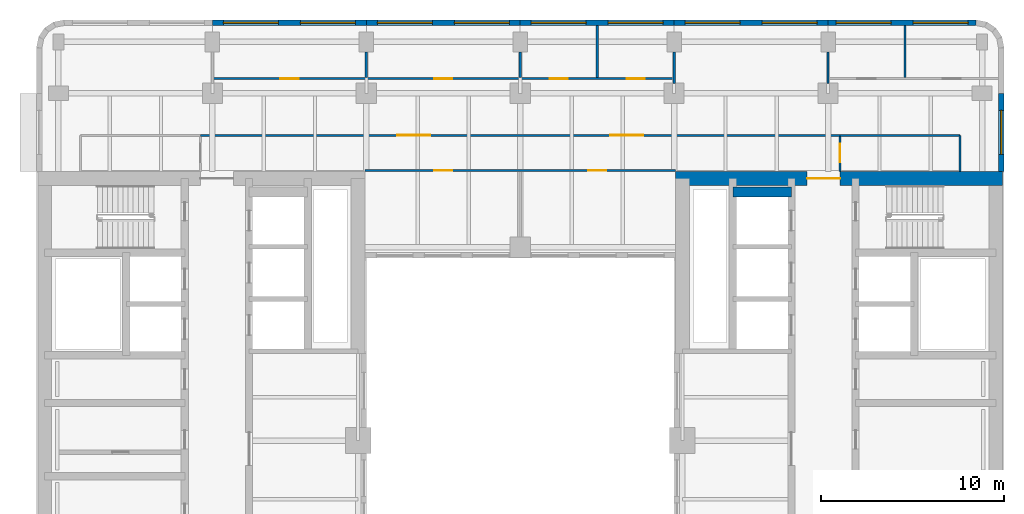
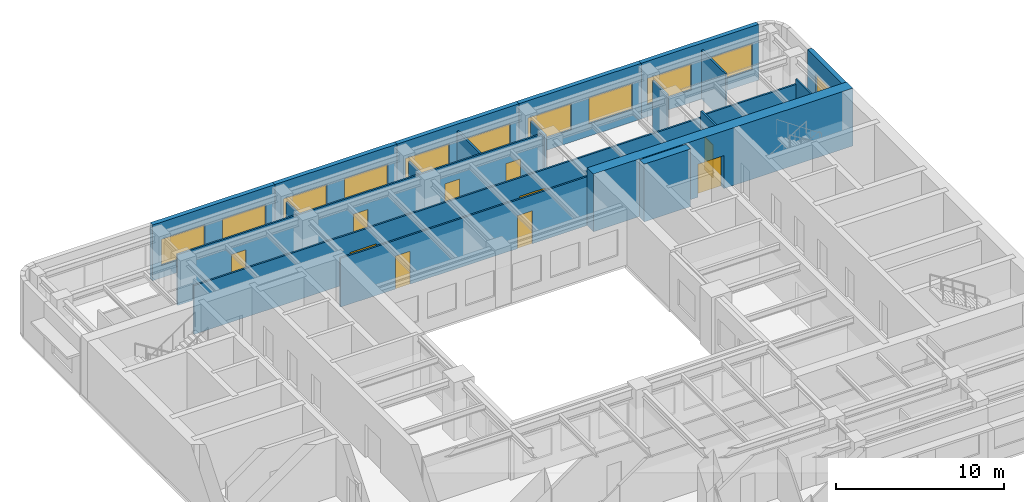
# One storey, part 7 of 11: 20 walls, 11 windows, 10 doors, 21 openings.
"""IFC4 building model written with IfcOpenShell, lengths in metres."""

from ifc_helpers import new_model, si_unit, direction, frame, frame_2d, origin, place, context, subcontext, project, spatial, rectangle, extrude, material, layer, layer_set, type_object, element, fill, save


model = new_model("IFC4")

# Units and contexts
model_context = context("Model", 3, precision=1e-05, world=origin(), true_north=direction((0.0, 1.0)))
body_context = subcontext(model_context, "Body", "Model", "MODEL_VIEW")
ifc_project = project(units=[si_unit("LENGTHUNIT", "METRE"), si_unit("AREAUNIT", "SQUARE_METRE"), si_unit("VOLUMEUNIT", "CUBIC_METRE"), si_unit("PLANEANGLEUNIT", "RADIAN"), si_unit("MASSUNIT", "GRAM", prefix="KILO")], contexts=[model_context])

# Site, building, storey
site_placement = place(None, origin())
site = spatial("IfcSite", under=ifc_project, at=site_placement, CompositionType="ELEMENT")
building_placement = place(site_placement, origin())
building = spatial("IfcBuilding", under=site, at=building_placement, Name="Claustro Exchange Tower", CompositionType="ELEMENT")
storey_placement = place(building_placement, frame((0.0, 0.0, 232.199951171875)))
storey = spatial("IfcBuildingStorey", under=building, at=storey_placement, Name="L53", CompositionType="ELEMENT", Elevation=232.199951171875)

# Wall, openings, doors
ifc_material_1 = material(Name="Laminated glass in aluminium frame", Category="aluminium")
ifc_layer_1 = layer(ifc_material_1, 0.1201171875)
ifc_layer_set_1 = layer_set([ifc_layer_1], Name="Laminated glass in aluminium frame")
wall_type_1 = type_object("IfcWallType", Name="P2 120 glazed partition", PredefinedType="PARTITIONING", material=ifc_layer_set_1)
wall_1_placement = place(storey_placement, frame((8.39990234375, 42.800048828125, 0.0), z_axis=(0.0, 0.0, 1.0), x_axis=(1.0, 0.0, 0.0)))
wall_1 = element("IfcWall", 1, at=wall_1_placement, inside=storey, type_object=wall_type_1, Name="Partition P2 L53", PredefinedType="PARTITIONING", context=body_context, shape_type="SweptSolid", body=[
    extrude(rectangle(XDim=25.2001953125, YDim=0.1201171875, at=frame_2d((12.60009765625, 0.0))), origin(), (0.0, 0.0, 1.0), 3.68994140625),
])
opening_1_placement = place(wall_1_placement, frame((3.699951171875, 0.0, 0.0)))
opening_1 = element("IfcOpeningElement", 2, at=opening_1_placement, cuts=wall_1, Name="Opening D7", PredefinedType="OPENING", context=body_context, shape_type="SweptSolid", body=[
    extrude(rectangle(XDim=1.0, YDim=2.39990234375, at=frame_2d((0.5, 1.199951171875))), frame((0.0, 0.070068359375, 0.0), z_axis=(0.0, -1.0, 0.0), x_axis=(1.0, 0.0, 0.0)), (0.0, 0.0, 1.0), 0.14013671875),
])
opening_2_placement = place(wall_1_placement, frame((12.10009765625, 0.0, 0.0)))
opening_2 = element("IfcOpeningElement", 3, at=opening_2_placement, cuts=wall_1, Name="Opening D7", PredefinedType="OPENING", context=body_context, shape_type="SweptSolid", body=[
    extrude(rectangle(XDim=1.0, YDim=2.39990234375, at=frame_2d((0.5, 1.199951171875))), frame((0.0, 0.070068359375, 0.0), z_axis=(0.0, -1.0, 0.0), x_axis=(1.0, 0.0, 0.0)), (0.0, 0.0, 1.0), 0.14013671875),
])
opening_3_placement = place(wall_1_placement, frame((18.39990234375, 0.0, 0.0)))
opening_3 = element("IfcOpeningElement", 4, at=opening_3_placement, cuts=wall_1, Name="Opening D7", PredefinedType="OPENING", context=body_context, shape_type="SweptSolid", body=[
    extrude(rectangle(XDim=1.0, YDim=2.39990234375, at=frame_2d((0.5, 1.199951171875))), frame((0.0, 0.070068359375, 0.0), z_axis=(0.0, -1.0, 0.0), x_axis=(1.0, 0.0, 0.0)), (0.0, 0.0, 1.0), 0.14013671875),
])
opening_4_placement = place(wall_1_placement, frame((22.60009765625, 0.0, 0.0)))
opening_4 = element("IfcOpeningElement", 5, at=opening_4_placement, cuts=wall_1, Name="Opening D7", PredefinedType="OPENING", context=body_context, shape_type="SweptSolid", body=[
    extrude(rectangle(XDim=1.0, YDim=2.39990234375, at=frame_2d((0.5, 1.199951171875))), frame((0.0, 0.070068359375, 0.0), z_axis=(0.0, -1.0, 0.0), x_axis=(1.0, 0.0, 0.0)), (0.0, 0.0, 1.0), 0.14013671875),
])
ifc_material_2 = material(Name="Glass door in aluminium frame", Category="aluminium")
door_type_1 = type_object("IfcDoorType", Name="D7 1000 x 2400 glazed door", OperationType="SINGLE_SWING_LEFT", PredefinedType="DOOR", material=ifc_material_2)
door_1_placement = place(opening_1_placement, origin())
door_1 = element("IfcDoor", 6, at=door_1_placement, inside=storey, type_object=door_type_1, Name="Door D7 L53", OperationType="SINGLE_SWING_LEFT", OverallHeight=2.39990234375, OverallWidth=1.0, PredefinedType="DOOR", context=body_context, shape_type="SweptSolid", body=[
    extrude(rectangle(XDim=1.0, YDim=2.39990234375, at=frame_2d((0.5, 1.199951171875))), frame((0.0, 0.02490234375, 0.0), z_axis=(0.0, -1.0, 0.0), x_axis=(1.0, 0.0, 0.0)), (0.0, 0.0, 1.0), 0.050048828125),
])
fill(opening_1, door_1)
door_2_placement = place(opening_2_placement, origin())
door_2 = element("IfcDoor", 7, at=door_2_placement, inside=storey, type_object=door_type_1, Name="Door D7 L53", OperationType="SINGLE_SWING_RIGHT", OverallHeight=2.39990234375, OverallWidth=1.0, PredefinedType="DOOR", context=body_context, shape_type="SweptSolid", body=[
    extrude(rectangle(XDim=1.0, YDim=2.39990234375, at=frame_2d((0.5, 1.199951171875))), frame((0.0, 0.02490234375, 0.0), z_axis=(0.0, -1.0, 0.0), x_axis=(1.0, 0.0, 0.0)), (0.0, 0.0, 1.0), 0.050048828125),
])
fill(opening_2, door_2)
door_3_placement = place(opening_3_placement, origin())
door_3 = element("IfcDoor", 8, at=door_3_placement, inside=storey, type_object=door_type_1, Name="Door D7 L53", OperationType="SINGLE_SWING_LEFT", OverallHeight=2.39990234375, OverallWidth=1.0, PredefinedType="DOOR", context=body_context, shape_type="SweptSolid", body=[
    extrude(rectangle(XDim=1.0, YDim=2.39990234375, at=frame_2d((0.5, 1.199951171875))), frame((0.0, 0.02490234375, 0.0), z_axis=(0.0, -1.0, 0.0), x_axis=(1.0, 0.0, 0.0)), (0.0, 0.0, 1.0), 0.050048828125),
])
fill(opening_3, door_3)
door_4_placement = place(opening_4_placement, origin())
door_4 = element("IfcDoor", 9, at=door_4_placement, inside=storey, type_object=door_type_1, Name="Door D7 L53", OperationType="SINGLE_SWING_LEFT", OverallHeight=2.39990234375, OverallWidth=1.0, PredefinedType="DOOR", context=body_context, shape_type="SweptSolid", body=[
    extrude(rectangle(XDim=1.0, YDim=2.39990234375, at=frame_2d((0.5, 1.199951171875))), frame((0.0, 0.02490234375, 0.0), z_axis=(0.0, -1.0, 0.0), x_axis=(1.0, 0.0, 0.0)), (0.0, 0.0, 1.0), 0.050048828125),
])
fill(opening_4, door_4)

# Walls
for number, where, z_axis, x_axis, name in (
    (10, (16.800048828125, 42.85791015625, 0.0), (0.0, 0.0, 1.0), (0.0, 1.0, 0.0), "Partition P2 L53"),
    (11, (25.199951171875, 42.85791015625, 0.0), (0.0, 0.0, 1.0), (0.0, 1.0, 0.0), "Partition P2 L53"),
):
    element("IfcWall", number, at=place(storey_placement, frame(where, z_axis=z_axis, x_axis=x_axis)), inside=storey, type_object=wall_type_1, Name=name, PredefinedType="PARTITIONING", context=body_context, shape_type="SweptSolid", body=[
        extrude(rectangle(XDim=1.39306640625, YDim=0.1201171875, at=frame_2d((0.696533203125, 0.0))), origin(), (0.0, 0.0, 1.0), 3.68994140625),
    ])
wall_2_placement = place(storey_placement, frame((29.39990234375, 42.85791015625, 0.0), z_axis=(0.0, 0.0, 1.0), x_axis=(0.0, 1.0, 0.0)))
element("IfcWall", 12, at=wall_2_placement, inside=storey, type_object=wall_type_1, Name="Partition P2 L53", PredefinedType="PARTITIONING", context=body_context, shape_type="SweptSolid", body=[
    extrude(rectangle(XDim=2.843994140625, YDim=0.1201171875, at=frame_2d((1.421875, 0.0))), origin(), (0.0, 0.0, 1.0), 3.56005859375),
])
for number, where, z_axis, x_axis, name in (
    (13, (33.60009765625, 42.548095703125, 0.0), (0.0, 0.0, 1.0), (0.0, 1.0, 0.0), "Partition P2 L53"),
    (14, (42.0, 42.548095703125, 0.0), (0.0, 0.0, 1.0), (0.0, 1.0, 0.0), "Partition P2 L53"),
):
    element("IfcWall", number, at=place(storey_placement, frame(where, z_axis=z_axis, x_axis=x_axis)), inside=storey, type_object=wall_type_1, Name=name, PredefinedType="PARTITIONING", context=body_context, shape_type="SweptSolid", body=[
        extrude(rectangle(XDim=1.702880859375, YDim=0.1201171875, at=frame_2d((0.8515625, 0.0))), origin(), (0.0, 0.0, 1.0), 3.68994140625),
    ])
wall_3_placement = place(storey_placement, frame((46.199951171875, 42.85791015625, 0.0), z_axis=(0.0, 0.0, 1.0), x_axis=(0.0, 1.0, 0.0)))
element("IfcWall", 15, at=wall_3_placement, inside=storey, type_object=wall_type_1, Name="Partition P2 L53", PredefinedType="PARTITIONING", context=body_context, shape_type="SweptSolid", body=[
    extrude(rectangle(XDim=2.843994140625, YDim=0.1201171875, at=frame_2d((1.421875, 0.0))), origin(), (0.0, 0.0, 1.0), 3.56005859375),
])

# Wall, openings, doors
wall_4_placement = place(storey_placement, frame((7.748046875, 39.699951171875, 0.0), z_axis=(0.0, 0.0, 1.0), x_axis=(1.0, 0.0, 0.0)))
wall_4 = element("IfcWall", 16, at=wall_4_placement, inside=storey, type_object=wall_type_1, Name="Partition P2 L53", PredefinedType="PARTITIONING", context=body_context, shape_type="SweptSolid", body=[
    extrude(rectangle(XDim=34.904052734375, YDim=0.1201171875, at=frame_2d((17.4521484375, 0.0))), origin(), (0.0, 0.0, 1.0), 3.550048828125),
])
opening_5_placement = place(wall_4_placement, frame((10.7353515625, 0.0, 0.0)))
opening_5 = element("IfcOpeningElement", 17, at=opening_5_placement, cuts=wall_4, Name="Opening D2", PredefinedType="OPENING", context=body_context, shape_type="SweptSolid", body=[
    extrude(rectangle(XDim=1.800048828125, YDim=2.199951171875, at=frame_2d((0.89990234375, 1.10009765625))), frame((0.0, 0.070068359375, 0.0), z_axis=(0.0, -1.0, 0.0), x_axis=(1.0, 0.0, 0.0)), (0.0, 0.0, 1.0), 0.14013671875),
])
opening_6_placement = place(wall_4_placement, frame((22.36865234375, 0.0, 0.0)))
opening_6 = element("IfcOpeningElement", 18, at=opening_6_placement, cuts=wall_4, Name="Opening D2", PredefinedType="OPENING", context=body_context, shape_type="SweptSolid", body=[
    extrude(rectangle(XDim=1.800048828125, YDim=2.199951171875, at=frame_2d((0.89990234375, 1.10009765625))), frame((0.0, 0.070068359375, 0.0), z_axis=(0.0, -1.0, 0.0), x_axis=(1.0, 0.0, 0.0)), (0.0, 0.0, 1.0), 0.14013671875),
])
ifc_material_3 = material(Name="Timber door, oak veneer", Category="wood")
door_type_2 = type_object("IfcDoorType", Name="D2 1800 x 2200 double door", OperationType="DOUBLE_DOOR_SINGLE_SWING", PredefinedType="DOOR", material=ifc_material_3)
door_5_placement = place(opening_5_placement, origin())
door_5 = element("IfcDoor", 19, at=door_5_placement, inside=storey, type_object=door_type_2, Name="Double door D2 L53", OperationType="DOUBLE_DOOR_SINGLE_SWING", OverallHeight=2.199951171875, OverallWidth=1.800048828125, PredefinedType="DOOR", context=body_context, shape_type="SweptSolid", body=[
    extrude(rectangle(XDim=1.800048828125, YDim=2.199951171875, at=frame_2d((0.89990234375, 1.10009765625))), frame((0.0, 0.02490234375, 0.0), z_axis=(0.0, -1.0, 0.0), x_axis=(1.0, 0.0, 0.0)), (0.0, 0.0, 1.0), 0.050048828125),
])
fill(opening_5, door_5)
door_6_placement = place(opening_6_placement, origin())
door_6 = element("IfcDoor", 20, at=door_6_placement, inside=storey, type_object=door_type_2, Name="Double door D2 L53", OperationType="DOUBLE_DOOR_SINGLE_SWING", OverallHeight=2.199951171875, OverallWidth=1.800048828125, PredefinedType="DOOR", context=body_context, shape_type="SweptSolid", body=[
    extrude(rectangle(XDim=1.800048828125, YDim=2.199951171875, at=frame_2d((0.89990234375, 1.10009765625))), frame((0.0, 0.02490234375, 0.0), z_axis=(0.0, -1.0, 0.0), x_axis=(1.0, 0.0, 0.0)), (0.0, 0.0, 1.0), 0.050048828125),
])
fill(opening_6, door_6)

# Wall, opening, door
wall_5_placement = place(storey_placement, frame((42.64990234375, 37.72412109375, 0.0), z_axis=(0.0, 0.0, 1.0), x_axis=(0.0, 1.0, 0.0)))
wall_5 = element("IfcWall", 21, at=wall_5_placement, inside=storey, type_object=wall_type_1, Name="Partition P2 L53", PredefinedType="PARTITIONING", context=body_context, shape_type="SweptSolid", body=[
    extrude(rectangle(XDim=1.91796875, YDim=0.1201171875, at=frame_2d((0.958984375, 0.0))), origin(), (0.0, 0.0, 1.0), 4.050048828125),
])
opening_7_placement = place(wall_5_placement, frame((0.52587890625, 0.0, 0.0)))
opening_7 = element("IfcOpeningElement", 22, at=opening_7_placement, cuts=wall_5, Name="Opening D7", PredefinedType="OPENING", context=body_context, shape_type="SweptSolid", body=[
    extrude(rectangle(XDim=1.0, YDim=2.39990234375, at=frame_2d((0.5, 1.199951171875))), frame((0.0, 0.070068359375, 0.0), z_axis=(0.0, -1.0, 0.0), x_axis=(1.0, 0.0, 0.0)), (0.0, 0.0, 1.0), 0.14013671875),
])
door_7_placement = place(opening_7_placement, frame((1.0, 0.0, 0.0), z_axis=(0.0, 0.0, 1.0), x_axis=(-1.0, 0.0, 0.0)))
door_7 = element("IfcDoor", 23, at=door_7_placement, inside=storey, type_object=door_type_1, Name="Door D7 L53", OperationType="SINGLE_SWING_RIGHT", OverallHeight=2.39990234375, OverallWidth=1.0, PredefinedType="DOOR", context=body_context, shape_type="SweptSolid", body=[
    extrude(rectangle(XDim=1.0, YDim=2.39990234375, at=frame_2d((0.5, 1.199951171875))), frame((0.0, 0.02490234375, 0.0), z_axis=(0.0, -1.0, 0.0), x_axis=(1.0, 0.0, 0.0)), (0.0, 0.0, 1.0), 0.050048828125),
])
fill(opening_7, door_7)

# Walls
wall_6_placement = place(storey_placement, frame((42.64794921875, 39.699951171875, 0.0), z_axis=(0.0, 0.0, 1.0), x_axis=(1.0, 0.0, 0.0)))
element("IfcWall", 24, at=wall_6_placement, inside=storey, type_object=wall_type_1, Name="Partition P2 L53", PredefinedType="PARTITIONING", context=body_context, shape_type="SweptSolid", body=[
    extrude(rectangle(XDim=6.552001953125, YDim=0.1201171875, at=frame_2d((3.27587890625, 0.0))), origin(), (0.0, 0.0, 1.0), 3.68994140625),
])
wall_7_placement = place(storey_placement, frame((49.199951171875, 37.72412109375, 0.0), z_axis=(0.0, 0.0, 1.0), x_axis=(0.0, 1.0, 0.0)))
element("IfcWall", 25, at=wall_7_placement, inside=storey, type_object=wall_type_1, Name="Partition P2 L53", PredefinedType="PARTITIONING", context=body_context, shape_type="SweptSolid", body=[
    extrude(rectangle(XDim=1.975830078125, YDim=0.1201171875, at=frame_2d((0.98779296875, 0.0))), origin(), (0.0, 0.0, 1.0), 4.050048828125),
])

# Wall, openings, doors
wall_8_placement = place(storey_placement, frame((16.72509765625, 37.784912109375, 0.0), z_axis=(0.0, 0.0, 1.0), x_axis=(1.0, 0.0, 0.0)))
wall_8 = element("IfcWall", 26, at=wall_8_placement, inside=storey, type_object=wall_type_1, Name="Partition P2 L53", PredefinedType="PARTITIONING", context=body_context, shape_type="SweptSolid", body=[
    extrude(rectangle(XDim=16.949951171875, YDim=0.1201171875, at=frame_2d((8.47509765625, 0.0))), origin(), (0.0, 0.0, 1.0), 3.550048828125),
])
opening_8_placement = place(wall_8_placement, frame((3.77490234375, 0.0, 0.0)))
opening_8 = element("IfcOpeningElement", 27, at=opening_8_placement, cuts=wall_8, Name="Opening D7", PredefinedType="OPENING", context=body_context, shape_type="SweptSolid", body=[
    extrude(rectangle(XDim=1.0, YDim=2.39990234375, at=frame_2d((0.5, 1.199951171875))), frame((0.0, 0.070068359375, 0.0), z_axis=(0.0, -1.0, 0.0), x_axis=(1.0, 0.0, 0.0)), (0.0, 0.0, 1.0), 0.14013671875),
])
opening_9_placement = place(wall_8_placement, frame((12.175048828125, 0.0, 0.0)))
opening_9 = element("IfcOpeningElement", 28, at=opening_9_placement, cuts=wall_8, Name="Opening D7", PredefinedType="OPENING", context=body_context, shape_type="SweptSolid", body=[
    extrude(rectangle(XDim=1.0, YDim=2.39990234375, at=frame_2d((0.5, 1.199951171875))), frame((0.0, 0.070068359375, 0.0), z_axis=(0.0, -1.0, 0.0), x_axis=(1.0, 0.0, 0.0)), (0.0, 0.0, 1.0), 0.14013671875),
])
door_8_placement = place(opening_8_placement, frame((1.0, 0.0, 0.0), z_axis=(0.0, 0.0, 1.0), x_axis=(-1.0, 0.0, 0.0)))
door_8 = element("IfcDoor", 29, at=door_8_placement, inside=storey, type_object=door_type_1, Name="Door D7 L53", OperationType="SINGLE_SWING_LEFT", OverallHeight=2.39990234375, OverallWidth=1.0, PredefinedType="DOOR", context=body_context, shape_type="SweptSolid", body=[
    extrude(rectangle(XDim=1.0, YDim=2.39990234375, at=frame_2d((0.5, 1.199951171875))), frame((0.0, 0.02490234375, 0.0), z_axis=(0.0, -1.0, 0.0), x_axis=(1.0, 0.0, 0.0)), (0.0, 0.0, 1.0), 0.050048828125),
])
fill(opening_8, door_8)
door_9_placement = place(opening_9_placement, frame((1.0, 0.0, 0.0), z_axis=(0.0, 0.0, 1.0), x_axis=(-1.0, 0.0, 0.0)))
door_9 = element("IfcDoor", 30, at=door_9_placement, inside=storey, type_object=door_type_1, Name="Door D7 L53", OperationType="SINGLE_SWING_LEFT", OverallHeight=2.39990234375, OverallWidth=1.0, PredefinedType="DOOR", context=body_context, shape_type="SweptSolid", body=[
    extrude(rectangle(XDim=1.0, YDim=2.39990234375, at=frame_2d((0.5, 1.199951171875))), frame((0.0, 0.02490234375, 0.0), z_axis=(0.0, -1.0, 0.0), x_axis=(1.0, 0.0, 0.0)), (0.0, 0.0, 1.0), 0.050048828125),
])
fill(opening_9, door_9)

# Wall, openings, windows
ifc_material_4 = material(Name="Concrete HA-40 (C40/50), precast, white cement, acid-etched", Category="concrete")
ifc_layer_2 = layer(ifc_material_4, 0.300048828125)
ifc_layer_set_2 = layer_set([ifc_layer_2], Name="Concrete HA-40 (C40/50), precast, white cement, acid-etched")
wall_type_2 = type_object("IfcWallType", Name="PC1 300 precast concrete pier panel", PredefinedType="SOLIDWALL", material=ifc_layer_set_2)
wall_9_placement = place(storey_placement, frame((8.39990234375, 45.85009765625, 0.0), z_axis=(0.0, 0.0, 1.0), x_axis=(1.0, 0.0, 0.0)))
wall_9 = element("IfcWall", 31, at=wall_9_placement, inside=storey, type_object=wall_type_2, Name="Precast pier panel PC1 L53", PredefinedType="SOLIDWALL", context=body_context, shape_type="SweptSolid", body=[
    extrude(rectangle(XDim=8.400146484375, YDim=0.300048828125, at=frame_2d((4.2001953125, 0.0))), origin(), (0.0, 0.0, 1.0), 4.050048828125),
])
opening_10_placement = place(wall_9_placement, frame((0.60009765625, 0.0, 0.89990234375)))
opening_10 = element("IfcOpeningElement", 32, at=opening_10_placement, cuts=wall_9, Name="Opening W1", PredefinedType="OPENING", context=body_context, shape_type="SweptSolid", body=[
    extrude(rectangle(XDim=3.0, YDim=1.89990234375, at=frame_2d((1.5, 0.949951171875))), frame((0.0, 0.159912109375, 0.0), z_axis=(0.0, -1.0, 0.0), x_axis=(1.0, 0.0, 0.0)), (0.0, 0.0, 1.0), 0.320068359375),
])
opening_11_placement = place(wall_9_placement, frame((4.800048828125, 0.0, 0.89990234375)))
opening_11 = element("IfcOpeningElement", 33, at=opening_11_placement, cuts=wall_9, Name="Opening W1", PredefinedType="OPENING", context=body_context, shape_type="SweptSolid", body=[
    extrude(rectangle(XDim=3.0, YDim=1.89990234375, at=frame_2d((1.5, 0.949951171875))), frame((0.0, 0.159912109375, 0.0), z_axis=(0.0, -1.0, 0.0), x_axis=(1.0, 0.0, 0.0)), (0.0, 0.0, 1.0), 0.320068359375),
])
ifc_material_5 = material(Name="Aluminium frame, clear double glazing", Category="aluminium")
window_type_1 = type_object("IfcWindowType", Name="W1 3000 x 1900 window", PartitioningType="SINGLE_PANEL", PredefinedType="WINDOW", material=ifc_material_5)
window_1_placement = place(opening_10_placement, origin())
window_1 = element("IfcWindow", 34, at=window_1_placement, inside=storey, type_object=window_type_1, Name="Window W1 L53", OverallHeight=1.89990234375, OverallWidth=3.0, PartitioningType="SINGLE_PANEL", PredefinedType="WINDOW", context=body_context, shape_type="SweptSolid", body=[
    extrude(rectangle(XDim=3.0, YDim=1.89990234375, at=frame_2d((1.5, 0.949951171875))), frame((0.0, 0.030029296875, 0.0), z_axis=(0.0, -1.0, 0.0), x_axis=(1.0, 0.0, 0.0)), (0.0, 0.0, 1.0), 0.06005859375),
])
fill(opening_10, window_1)
window_2_placement = place(opening_11_placement, origin())
window_2 = element("IfcWindow", 35, at=window_2_placement, inside=storey, type_object=window_type_1, Name="Window W1 L53", OverallHeight=1.89990234375, OverallWidth=3.0, PartitioningType="SINGLE_PANEL", PredefinedType="WINDOW", context=body_context, shape_type="SweptSolid", body=[
    extrude(rectangle(XDim=3.0, YDim=1.89990234375, at=frame_2d((1.5, 0.949951171875))), frame((0.0, 0.030029296875, 0.0), z_axis=(0.0, -1.0, 0.0), x_axis=(1.0, 0.0, 0.0)), (0.0, 0.0, 1.0), 0.06005859375),
])
fill(opening_11, window_2)

wall_10_placement = place(storey_placement, frame((16.800048828125, 45.85009765625, 0.0), z_axis=(0.0, 0.0, 1.0), x_axis=(1.0, 0.0, 0.0)))
wall_10 = element("IfcWall", 36, at=wall_10_placement, inside=storey, type_object=wall_type_2, Name="Precast pier panel PC1 L53", PredefinedType="SOLIDWALL", context=body_context, shape_type="SweptSolid", body=[
    extrude(rectangle(XDim=8.39990234375, YDim=0.300048828125, at=frame_2d((4.199951171875, 0.0))), origin(), (0.0, 0.0, 1.0), 4.050048828125),
])
opening_12_placement = place(wall_10_placement, frame((0.60009765625, 0.0, 0.89990234375)))
opening_12 = element("IfcOpeningElement", 37, at=opening_12_placement, cuts=wall_10, Name="Opening W1", PredefinedType="OPENING", context=body_context, shape_type="SweptSolid", body=[
    extrude(rectangle(XDim=3.0, YDim=1.89990234375, at=frame_2d((1.5, 0.949951171875))), frame((0.0, 0.159912109375, 0.0), z_axis=(0.0, -1.0, 0.0), x_axis=(1.0, 0.0, 0.0)), (0.0, 0.0, 1.0), 0.320068359375),
])
opening_13_placement = place(wall_10_placement, frame((4.800048828125, 0.0, 0.89990234375)))
opening_13 = element("IfcOpeningElement", 38, at=opening_13_placement, cuts=wall_10, Name="Opening W1", PredefinedType="OPENING", context=body_context, shape_type="SweptSolid", body=[
    extrude(rectangle(XDim=3.0, YDim=1.89990234375, at=frame_2d((1.5, 0.949951171875))), frame((0.0, 0.159912109375, 0.0), z_axis=(0.0, -1.0, 0.0), x_axis=(1.0, 0.0, 0.0)), (0.0, 0.0, 1.0), 0.320068359375),
])
window_3_placement = place(opening_12_placement, origin())
window_3 = element("IfcWindow", 39, at=window_3_placement, inside=storey, type_object=window_type_1, Name="Window W1 L53", OverallHeight=1.89990234375, OverallWidth=3.0, PartitioningType="SINGLE_PANEL", PredefinedType="WINDOW", context=body_context, shape_type="SweptSolid", body=[
    extrude(rectangle(XDim=3.0, YDim=1.89990234375, at=frame_2d((1.5, 0.949951171875))), frame((0.0, 0.030029296875, 0.0), z_axis=(0.0, -1.0, 0.0), x_axis=(1.0, 0.0, 0.0)), (0.0, 0.0, 1.0), 0.06005859375),
])
fill(opening_12, window_3)
window_4_placement = place(opening_13_placement, origin())
window_4 = element("IfcWindow", 40, at=window_4_placement, inside=storey, type_object=window_type_1, Name="Window W1 L53", OverallHeight=1.89990234375, OverallWidth=3.0, PartitioningType="SINGLE_PANEL", PredefinedType="WINDOW", context=body_context, shape_type="SweptSolid", body=[
    extrude(rectangle(XDim=3.0, YDim=1.89990234375, at=frame_2d((1.5, 0.949951171875))), frame((0.0, 0.030029296875, 0.0), z_axis=(0.0, -1.0, 0.0), x_axis=(1.0, 0.0, 0.0)), (0.0, 0.0, 1.0), 0.06005859375),
])
fill(opening_13, window_4)

wall_11_placement = place(storey_placement, frame((25.199951171875, 45.85009765625, 0.0), z_axis=(0.0, 0.0, 1.0), x_axis=(1.0, 0.0, 0.0)))
wall_11 = element("IfcWall", 41, at=wall_11_placement, inside=storey, type_object=wall_type_2, Name="Precast pier panel PC1 L53", PredefinedType="SOLIDWALL", context=body_context, shape_type="SweptSolid", body=[
    extrude(rectangle(XDim=8.400146484375, YDim=0.300048828125, at=frame_2d((4.2001953125, 0.0))), origin(), (0.0, 0.0, 1.0), 4.050048828125),
])
opening_14_placement = place(wall_11_placement, frame((0.60009765625, 0.0, 0.89990234375)))
opening_14 = element("IfcOpeningElement", 42, at=opening_14_placement, cuts=wall_11, Name="Opening W1", PredefinedType="OPENING", context=body_context, shape_type="SweptSolid", body=[
    extrude(rectangle(XDim=3.0, YDim=1.89990234375, at=frame_2d((1.5, 0.949951171875))), frame((0.0, 0.159912109375, 0.0), z_axis=(0.0, -1.0, 0.0), x_axis=(1.0, 0.0, 0.0)), (0.0, 0.0, 1.0), 0.320068359375),
])
opening_15_placement = place(wall_11_placement, frame((4.800048828125, 0.0, 0.89990234375)))
opening_15 = element("IfcOpeningElement", 43, at=opening_15_placement, cuts=wall_11, Name="Opening W1", PredefinedType="OPENING", context=body_context, shape_type="SweptSolid", body=[
    extrude(rectangle(XDim=3.0, YDim=1.89990234375, at=frame_2d((1.5, 0.949951171875))), frame((0.0, 0.159912109375, 0.0), z_axis=(0.0, -1.0, 0.0), x_axis=(1.0, 0.0, 0.0)), (0.0, 0.0, 1.0), 0.320068359375),
])
window_5_placement = place(opening_14_placement, origin())
window_5 = element("IfcWindow", 44, at=window_5_placement, inside=storey, type_object=window_type_1, Name="Window W1 L53", OverallHeight=1.89990234375, OverallWidth=3.0, PartitioningType="SINGLE_PANEL", PredefinedType="WINDOW", context=body_context, shape_type="SweptSolid", body=[
    extrude(rectangle(XDim=3.0, YDim=1.89990234375, at=frame_2d((1.5, 0.949951171875))), frame((0.0, 0.030029296875, 0.0), z_axis=(0.0, -1.0, 0.0), x_axis=(1.0, 0.0, 0.0)), (0.0, 0.0, 1.0), 0.06005859375),
])
fill(opening_14, window_5)
window_6_placement = place(opening_15_placement, origin())
window_6 = element("IfcWindow", 45, at=window_6_placement, inside=storey, type_object=window_type_1, Name="Window W1 L53", OverallHeight=1.89990234375, OverallWidth=3.0, PartitioningType="SINGLE_PANEL", PredefinedType="WINDOW", context=body_context, shape_type="SweptSolid", body=[
    extrude(rectangle(XDim=3.0, YDim=1.89990234375, at=frame_2d((1.5, 0.949951171875))), frame((0.0, 0.030029296875, 0.0), z_axis=(0.0, -1.0, 0.0), x_axis=(1.0, 0.0, 0.0)), (0.0, 0.0, 1.0), 0.06005859375),
])
fill(opening_15, window_6)

wall_12_placement = place(storey_placement, frame((33.60009765625, 45.85009765625, 0.0), z_axis=(0.0, 0.0, 1.0), x_axis=(1.0, 0.0, 0.0)))
wall_12 = element("IfcWall", 46, at=wall_12_placement, inside=storey, type_object=wall_type_2, Name="Precast pier panel PC1 L53", PredefinedType="SOLIDWALL", context=body_context, shape_type="SweptSolid", body=[
    extrude(rectangle(XDim=8.39990234375, YDim=0.300048828125, at=frame_2d((4.199951171875, 0.0))), origin(), (0.0, 0.0, 1.0), 4.050048828125),
])
opening_16_placement = place(wall_12_placement, frame((0.60009765625, 0.0, 0.89990234375)))
opening_16 = element("IfcOpeningElement", 47, at=opening_16_placement, cuts=wall_12, Name="Opening W1", PredefinedType="OPENING", context=body_context, shape_type="SweptSolid", body=[
    extrude(rectangle(XDim=3.0, YDim=1.89990234375, at=frame_2d((1.5, 0.949951171875))), frame((0.0, 0.159912109375, 0.0), z_axis=(0.0, -1.0, 0.0), x_axis=(1.0, 0.0, 0.0)), (0.0, 0.0, 1.0), 0.320068359375),
])
opening_17_placement = place(wall_12_placement, frame((4.800048828125, 0.0, 0.89990234375)))
opening_17 = element("IfcOpeningElement", 48, at=opening_17_placement, cuts=wall_12, Name="Opening W1", PredefinedType="OPENING", context=body_context, shape_type="SweptSolid", body=[
    extrude(rectangle(XDim=3.0, YDim=1.89990234375, at=frame_2d((1.5, 0.949951171875))), frame((0.0, 0.159912109375, 0.0), z_axis=(0.0, -1.0, 0.0), x_axis=(1.0, 0.0, 0.0)), (0.0, 0.0, 1.0), 0.320068359375),
])
window_7_placement = place(opening_16_placement, origin())
window_7 = element("IfcWindow", 49, at=window_7_placement, inside=storey, type_object=window_type_1, Name="Window W1 L53", OverallHeight=1.89990234375, OverallWidth=3.0, PartitioningType="SINGLE_PANEL", PredefinedType="WINDOW", context=body_context, shape_type="SweptSolid", body=[
    extrude(rectangle(XDim=3.0, YDim=1.89990234375, at=frame_2d((1.5, 0.949951171875))), frame((0.0, 0.030029296875, 0.0), z_axis=(0.0, -1.0, 0.0), x_axis=(1.0, 0.0, 0.0)), (0.0, 0.0, 1.0), 0.06005859375),
])
fill(opening_16, window_7)
window_8_placement = place(opening_17_placement, origin())
window_8 = element("IfcWindow", 50, at=window_8_placement, inside=storey, type_object=window_type_1, Name="Window W1 L53", OverallHeight=1.89990234375, OverallWidth=3.0, PartitioningType="SINGLE_PANEL", PredefinedType="WINDOW", context=body_context, shape_type="SweptSolid", body=[
    extrude(rectangle(XDim=3.0, YDim=1.89990234375, at=frame_2d((1.5, 0.949951171875))), frame((0.0, 0.030029296875, 0.0), z_axis=(0.0, -1.0, 0.0), x_axis=(1.0, 0.0, 0.0)), (0.0, 0.0, 1.0), 0.06005859375),
])
fill(opening_17, window_8)

wall_13_placement = place(storey_placement, frame((42.0, 45.85009765625, 0.0), z_axis=(0.0, 0.0, 1.0), x_axis=(1.0, 0.0, 0.0)))
wall_13 = element("IfcWall", 51, at=wall_13_placement, inside=storey, type_object=wall_type_2, Name="Precast pier panel PC1 L53", PredefinedType="SOLIDWALL", context=body_context, shape_type="SweptSolid", body=[
    extrude(rectangle(XDim=8.085205078125, YDim=0.300048828125, at=frame_2d((4.04248046875, 0.0))), origin(), (0.0, 0.0, 1.0), 4.050048828125),
])
opening_18_placement = place(wall_13_placement, frame((0.442626953125, 0.0, 0.89990234375)))
opening_18 = element("IfcOpeningElement", 52, at=opening_18_placement, cuts=wall_13, Name="Opening W1", PredefinedType="OPENING", context=body_context, shape_type="SweptSolid", body=[
    extrude(rectangle(XDim=3.0, YDim=1.89990234375, at=frame_2d((1.5, 0.949951171875))), frame((0.0, 0.159912109375, 0.0), z_axis=(0.0, -1.0, 0.0), x_axis=(1.0, 0.0, 0.0)), (0.0, 0.0, 1.0), 0.320068359375),
])
opening_19_placement = place(wall_13_placement, frame((4.642578125, 0.0, 0.89990234375)))
opening_19 = element("IfcOpeningElement", 53, at=opening_19_placement, cuts=wall_13, Name="Opening W1", PredefinedType="OPENING", context=body_context, shape_type="SweptSolid", body=[
    extrude(rectangle(XDim=3.0, YDim=1.89990234375, at=frame_2d((1.5, 0.949951171875))), frame((0.0, 0.159912109375, 0.0), z_axis=(0.0, -1.0, 0.0), x_axis=(1.0, 0.0, 0.0)), (0.0, 0.0, 1.0), 0.320068359375),
])
window_9_placement = place(opening_18_placement, origin())
window_9 = element("IfcWindow", 54, at=window_9_placement, inside=storey, type_object=window_type_1, Name="Window W1 L53", OverallHeight=1.89990234375, OverallWidth=3.0, PartitioningType="SINGLE_PANEL", PredefinedType="WINDOW", context=body_context, shape_type="SweptSolid", body=[
    extrude(rectangle(XDim=3.0, YDim=1.89990234375, at=frame_2d((1.5, 0.949951171875))), frame((0.0, 0.030029296875, 0.0), z_axis=(0.0, -1.0, 0.0), x_axis=(1.0, 0.0, 0.0)), (0.0, 0.0, 1.0), 0.06005859375),
])
fill(opening_18, window_9)
window_10_placement = place(opening_19_placement, origin())
window_10 = element("IfcWindow", 55, at=window_10_placement, inside=storey, type_object=window_type_1, Name="Window W1 L53", OverallHeight=1.89990234375, OverallWidth=3.0, PartitioningType="SINGLE_PANEL", PredefinedType="WINDOW", context=body_context, shape_type="SweptSolid", body=[
    extrude(rectangle(XDim=3.0, YDim=1.89990234375, at=frame_2d((1.5, 0.949951171875))), frame((0.0, 0.030029296875, 0.0), z_axis=(0.0, -1.0, 0.0), x_axis=(1.0, 0.0, 0.0)), (0.0, 0.0, 1.0), 0.06005859375),
])
fill(opening_19, window_10)

# Wall, opening, window
wall_14_placement = place(storey_placement, frame((51.449951171875, 42.0, 0.0), z_axis=(0.0, 0.0, 1.0), x_axis=(0.0, -1.0, 0.0)))
wall_14 = element("IfcWall", 56, at=wall_14_placement, inside=storey, type_object=wall_type_2, Name="Precast pier panel PC1 L53", PredefinedType="SOLIDWALL", context=body_context, shape_type="SweptSolid", body=[
    extrude(rectangle(XDim=4.27490234375, YDim=0.300048828125, at=frame_2d((2.137451171875, 0.0))), origin(), (0.0, 0.0, 1.0), 4.050048828125),
])
opening_20_placement = place(wall_14_placement, frame((0.9375, 0.0, 0.89990234375)))
opening_20 = element("IfcOpeningElement", 57, at=opening_20_placement, cuts=wall_14, Name="Opening W2", PredefinedType="OPENING", context=body_context, shape_type="SweptSolid", body=[
    extrude(rectangle(XDim=2.39990234375, YDim=1.89990234375, at=frame_2d((1.199951171875, 0.949951171875))), frame((0.0, 0.159912109375, 0.0), z_axis=(0.0, -1.0, 0.0), x_axis=(1.0, 0.0, 0.0)), (0.0, 0.0, 1.0), 0.320068359375),
])
ifc_material_6 = material(Name="Aluminium frame, clear double glazing", Category="aluminium")
window_type_2 = type_object("IfcWindowType", Name="W2 2400 x 1900 window", PartitioningType="SINGLE_PANEL", PredefinedType="WINDOW", material=ifc_material_6)
window_11_placement = place(opening_20_placement, origin())
window_11 = element("IfcWindow", 58, at=window_11_placement, inside=storey, type_object=window_type_2, Name="Window W2 L53", OverallHeight=1.89990234375, OverallWidth=2.39990234375, PartitioningType="SINGLE_PANEL", PredefinedType="WINDOW", context=body_context, shape_type="SweptSolid", body=[
    extrude(rectangle(XDim=2.39990234375, YDim=1.89990234375, at=frame_2d((1.199951171875, 0.949951171875))), frame((0.0, 0.030029296875, 0.0), z_axis=(0.0, -1.0, 0.0), x_axis=(1.0, 0.0, 0.0)), (0.0, 0.0, 1.0), 0.06005859375),
])
fill(opening_20, window_11)

# Wall, opening, door
ifc_material_7 = material(Name="Concrete HA-70 (C70/85)", Category="concrete")
ifc_layer_3 = layer(ifc_material_7, 0.75)
ifc_layer_set_3 = layer_set([ifc_layer_3], Name="Concrete HA-70 (C70/85)")
wall_type_3 = type_object("IfcWallType", Name="SW2 750 core shear wall", PredefinedType="SHEAR", material=ifc_layer_set_3)
wall_15_placement = place(storey_placement, frame((33.675048828125, 37.35009765625, 0.0), z_axis=(0.0, 0.0, 1.0), x_axis=(1.0, 0.0, 0.0)))
wall_15 = element("IfcWall", 59, at=wall_15_placement, inside=storey, type_object=wall_type_3, Name="Core wall SW2 E core N face L53", PredefinedType="SHEAR", context=body_context, shape_type="SweptSolid", body=[
    extrude(rectangle(XDim=17.849853515625, YDim=0.75, at=frame_2d((8.9248046875, 0.0))), origin(), (0.0, 0.0, 1.0), 4.199951171875),
])
opening_21_placement = place(wall_15_placement, frame((7.175048828125, 0.0, 0.0)))
opening_21 = element("IfcOpeningElement", 60, at=opening_21_placement, cuts=wall_15, Name="Opening D3", PredefinedType="OPENING", context=body_context, shape_type="SweptSolid", body=[
    extrude(rectangle(XDim=1.800048828125, YDim=2.39990234375, at=frame_2d((0.89990234375, 1.199951171875))), frame((0.0, 0.385009765625, 0.0), z_axis=(0.0, -1.0, 0.0), x_axis=(1.0, 0.0, 0.0)), (0.0, 0.0, 1.0), 0.77001953125),
])
ifc_material_8 = material(Name="Steel fire door, painted", Category="steel")
door_type_3 = type_object("IfcDoorType", Name="D3 1800 x 2400 fire-rated lobby double door", OperationType="DOUBLE_DOOR_SINGLE_SWING", PredefinedType="DOOR", material=ifc_material_8)
door_10_placement = place(opening_21_placement, frame((1.800048828125, 0.0, 0.0), z_axis=(0.0, 0.0, 1.0), x_axis=(-1.0, 0.0, 0.0)))
door_10 = element("IfcDoor", 61, at=door_10_placement, inside=storey, type_object=door_type_3, Name="Lift lobby door D3 L53", OperationType="DOUBLE_DOOR_SINGLE_SWING", OverallHeight=2.39990234375, OverallWidth=1.800048828125, PredefinedType="DOOR", context=body_context, shape_type="SweptSolid", body=[
    extrude(rectangle(XDim=1.800048828125, YDim=2.39990234375, at=frame_2d((0.89990234375, 1.199951171875))), frame((0.0, 0.02490234375, 0.0), z_axis=(0.0, -1.0, 0.0), x_axis=(1.0, 0.0, 0.0)), (0.0, 0.0, 1.0), 0.050048828125),
])
fill(opening_21, door_10)

# Wall
ifc_material_9 = material(Name="Concrete HA-50 (C50/60)", Category="concrete")
ifc_layer_4 = layer(ifc_material_9, 0.550048828125)
ifc_layer_set_4 = layer_set([ifc_layer_4], Name="Concrete HA-50 (C50/60)")
wall_type_4 = type_object("IfcWallType", Name="SW6 550 lift shaft end wall", PredefinedType="SHEAR", material=ifc_layer_set_4)
wall_16_placement = place(storey_placement, frame((40.0, 36.625, 0.0), z_axis=(0.0, 0.0, 1.0), x_axis=(-1.0, 0.0, 0.0)))
element("IfcWall", 62, at=wall_16_placement, inside=storey, type_object=wall_type_4, Name="Lift shaft wall E core L53", PredefinedType="SHEAR", context=body_context, shape_type="SweptSolid", body=[
    extrude(rectangle(XDim=3.199951171875, YDim=0.550048828125, at=frame_2d((1.60009765625, 0.0))), origin(), (0.0, 0.0, 1.0), 4.199951171875),
])

save(model, "model.ifc")
